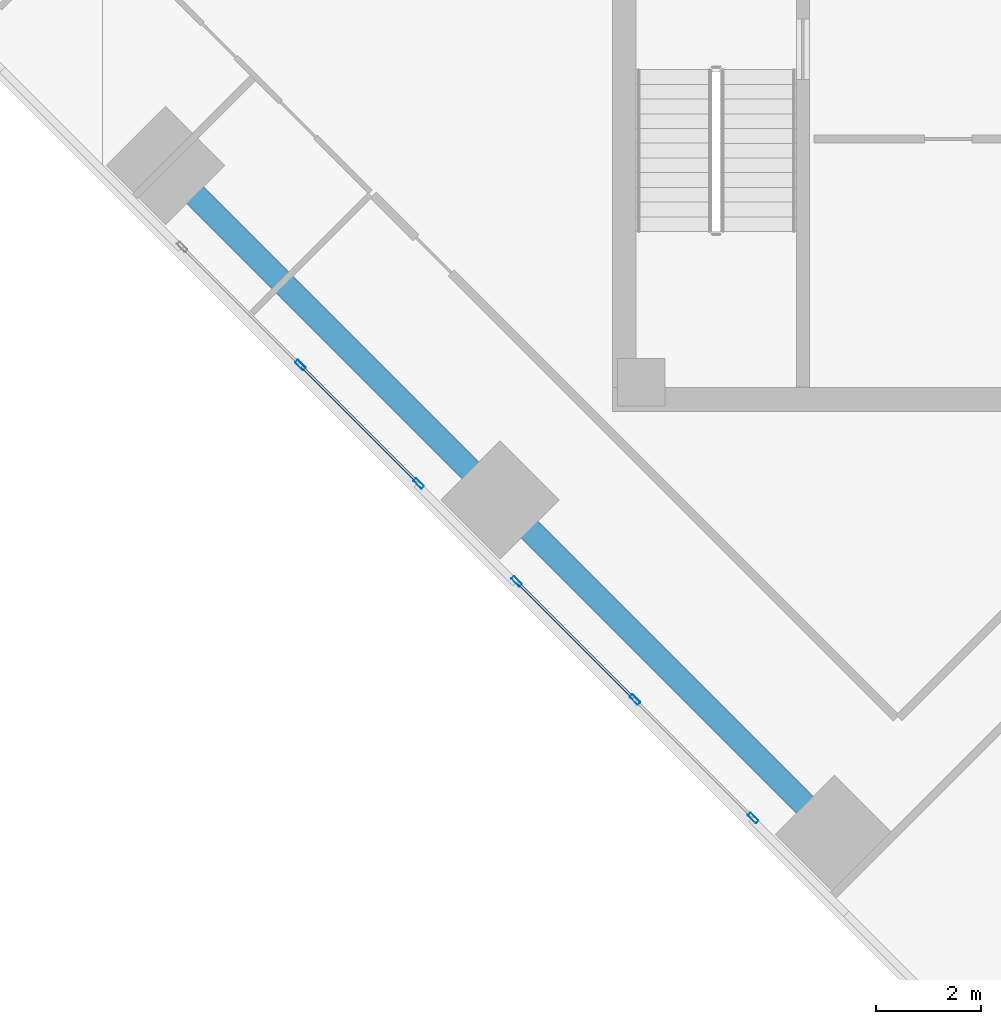
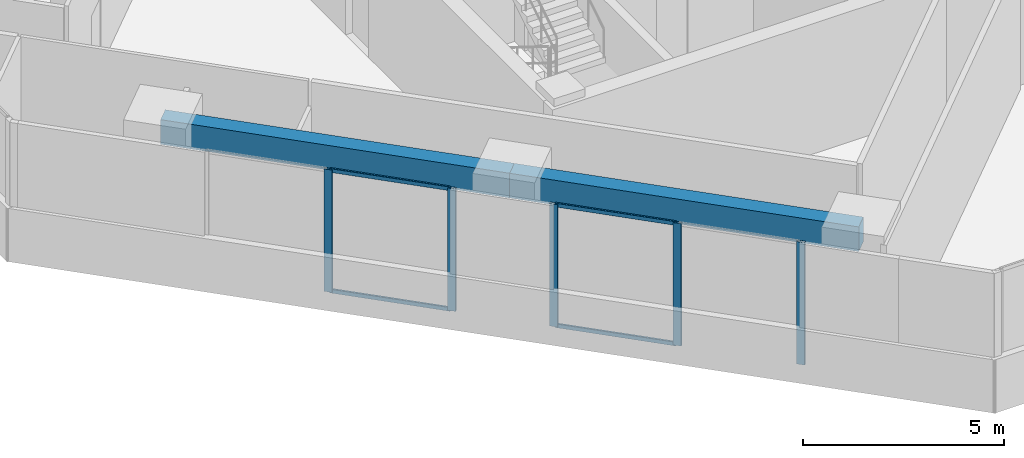
# One storey, part 2 of 17: 9 members, 2 beams, 2 elements without a shape of their own.
"""IFC4 building model written with IfcOpenShell, lengths in metres."""

import ifcopenshell
import ifcopenshell.guid

model = None  # the IFC model being written
_history = None  # IfcOwnerHistory: only IFC2X3 demands one
_inside = {}  # id of a spatial element -> (the spatial element, [elements in it])
_under = {}  # id of a project, library or spatial element -> (it, [spatial elements below it])
_declared = {}  # id of a project -> (the project, [libraries it declares])
_typed = {}  # id of a type object -> (the type object, [elements of that type])
_made_of = {}  # id of a material, layer set ... -> (it, [elements and type objects made of it])


def new_model(schema):
    """Start an empty IFC model of exactly this schema.

    Asked for "IFC4X3", IfcOpenShell would pick the latest addendum, in which some entities
    have other attributes; the version numbers below select the first issue.
    IFC2X3 requires an IfcOwnerHistory on every rooted entity: one is made here for all.
    """
    global model, _history
    if schema == "IFC4X3":
        model = ifcopenshell.file(schema_version=(4, 3, 0, 0))
    else:
        model = ifcopenshell.file(schema=schema)
    _inside.clear()
    _under.clear()
    _declared.clear()
    _typed.clear()
    _made_of.clear()
    _history = None
    if model.schema == "IFC2X3":
        org = make("IfcOrganization", Name="unknown")
        user = make(
            "IfcPersonAndOrganization",
            ThePerson=make("IfcPerson", FamilyName="unknown"),
            TheOrganization=org,
        )
        app = make(
            "IfcApplication",
            ApplicationDeveloper=org,
            Version="unknown",
            ApplicationFullName="unknown",
            ApplicationIdentifier="unknown",
        )
        _history = make(
            "IfcOwnerHistory",
            OwningUser=user,
            OwningApplication=app,
            ChangeAction="ADDED",
            CreationDate=0,
        )
    return model


def make(cls, **values):
    """One entity of the class cls with the attributes given. An attribute that is None is left unset."""
    return model.create_entity(
        cls, **{name: value for name, value in values.items() if value is not None}
    )


def rooted(cls, **values):
    """An entity with a GlobalId (a new one), such as an element, a storey or a relation."""
    return make(cls, GlobalId=ifcopenshell.guid.new(), OwnerHistory=_history, **values)


def si_unit(unit_type, name, prefix=None):
    """IfcSIUnit, for example si_unit("LENGTHUNIT", "METRE", prefix="MILLI")."""
    return make("IfcSIUnit", UnitType=unit_type, Prefix=prefix, Name=name)


def assignment(units):
    """IfcUnitAssignment: the units of a project."""
    return None if units is None else make("IfcUnitAssignment", Units=units)


def point(xyz):
    """IfcCartesianPoint."""
    return None if xyz is None else make("IfcCartesianPoint", Coordinates=xyz)


def direction(xyz):
    """IfcDirection."""
    return None if xyz is None else make("IfcDirection", DirectionRatios=xyz)


def frame(location, z_axis=None, x_axis=None):
    """IfcAxis2Placement3D, a coordinate frame: its origin and axes. An axis left out is left unset."""
    return make(
        "IfcAxis2Placement3D",
        Location=point(location),
        Axis=direction(z_axis),
        RefDirection=direction(x_axis),
    )


def frame_2d(location, x_axis=None):
    """IfcAxis2Placement2D, a coordinate frame in the plane: its origin and x axis."""
    return make(
        "IfcAxis2Placement2D", Location=point(location), RefDirection=direction(x_axis)
    )


def origin():
    """The frame at (0, 0, 0) with its axes left unset."""
    return frame((0.0, 0.0, 0.0))


def origin_2d():
    """The frame at (0, 0) in the plane with its x axis left unset."""
    return frame_2d((0.0, 0.0))


def place(relative_to, where):
    """IfcLocalPlacement: puts the frame where relative to a parent placement (None: the world)."""
    return make(
        "IfcLocalPlacement", PlacementRelTo=relative_to, RelativePlacement=where
    )


def context(
    kind, dimensions, precision=None, world=None, true_north=None, identifier=None
):
    """IfcGeometricRepresentationContext, for example the 3D "Model" context."""
    return make(
        "IfcGeometricRepresentationContext",
        ContextIdentifier=identifier,
        ContextType=kind,
        CoordinateSpaceDimension=dimensions,
        Precision=precision,
        WorldCoordinateSystem=world,
        TrueNorth=true_north,
    )


def subcontext(parent, identifier, kind, view, scale=None):
    """IfcGeometricRepresentationSubContext, for example "Body" below "Model"."""
    return make(
        "IfcGeometricRepresentationSubContext",
        ContextIdentifier=identifier,
        ContextType=kind,
        ParentContext=parent,
        TargetScale=scale,
        TargetView=view,
    )


def project(units=None, contexts=None):
    """IfcProject with its units and contexts."""
    return rooted(
        "IfcProject",
        Name="project",
        RepresentationContexts=contexts,
        UnitsInContext=assignment(units),
    )


def spatial(cls, under=None, at=None, **own):
    """A site, building, storey or space (cls), placed at a placement, below another one or the project."""
    s = rooted(cls, ObjectPlacement=at, **own)
    if under is not None:
        _under.setdefault(under.id(), (under, []))[1].append(s)
    return s


def profile(cls, at=None, kind="AREA", **sizes):
    """A parametric profile (cls). Its sizes go by their IFC names, for example OverallWidth=200.0."""
    return make(cls, ProfileType=kind, Position=at, **sizes)


def rectangle(**sizes):
    """IfcRectangleProfileDef."""
    return profile("IfcRectangleProfileDef", **sizes)


def hollow_rectangle(**sizes):
    """IfcRectangleHollowProfileDef."""
    return profile("IfcRectangleHollowProfileDef", **sizes)


def extrude(swept, where, along, depth):
    """IfcExtrudedAreaSolid: the profile swept, set in the frame where, extruded along a direction by depth."""
    return make(
        "IfcExtrudedAreaSolid",
        SweptArea=swept,
        Position=where,
        ExtrudedDirection=direction(along),
        Depth=depth,
    )


def shape(context_of_items, identifier, shape_type, items):
    """IfcShapeRepresentation: the items that make up one representation, for example the "Body"."""
    return make(
        "IfcShapeRepresentation",
        ContextOfItems=context_of_items,
        RepresentationIdentifier=identifier,
        RepresentationType=shape_type,
        Items=items,
    )


def source(mapping_origin, context_of_items, identifier, shape_type, items):
    """IfcRepresentationMap: a shape defined once, which mapped items show again and again."""
    return make(
        "IfcRepresentationMap",
        MappingOrigin=mapping_origin,
        MappedRepresentation=shape(context_of_items, identifier, shape_type, items),
    )


def transform(
    local_origin,
    x_axis=None,
    y_axis=None,
    z_axis=None,
    scale=None,
    scale2=None,
    scale3=None,
    uniform=True,
):
    """IfcCartesianTransformationOperator3D, or its non-uniform kind. x_axis, y_axis, z_axis: its Axis1, 2, 3."""
    if uniform:
        return make(
            "IfcCartesianTransformationOperator3D",
            Axis1=direction(x_axis),
            Axis2=direction(y_axis),
            LocalOrigin=point(local_origin),
            Scale=scale,
            Axis3=direction(z_axis),
        )
    return make(
        "IfcCartesianTransformationOperator3DnonUniform",
        Axis1=direction(x_axis),
        Axis2=direction(y_axis),
        LocalOrigin=point(local_origin),
        Scale=scale,
        Axis3=direction(z_axis),
        Scale2=scale2,
        Scale3=scale3,
    )


def mapped(mapping_source, mapping_target):
    """IfcMappedItem: shows the shape of a source again, moved by a transform."""
    return make(
        "IfcMappedItem", MappingSource=mapping_source, MappingTarget=mapping_target
    )


def material(Name=None, Category=None):
    """IfcMaterial."""
    return make("IfcMaterial", Name=Name, Category=Category)


def material_profile(
    of_material, cross_section, Name=None, Category=None, Priority=None
):
    """IfcMaterialProfile: a cross section and its material."""
    return make(
        "IfcMaterialProfile",
        Name=Name,
        Material=of_material,
        Profile=cross_section,
        Priority=Priority,
        Category=Category,
    )


def profile_set(profiles, Name=None, composite=None):
    """IfcMaterialProfileSet."""
    return make(
        "IfcMaterialProfileSet",
        Name=Name,
        MaterialProfiles=profiles,
        CompositeProfile=composite,
    )


def made_of(thing, what):
    """Note that an element or type object is made of a material, layer set ...; save() writes the relation."""
    if what is not None:
        _made_of.setdefault(what.id(), (what, []))[1].append(thing)
    return thing


def type_object(cls, material=None, **own):
    """A type object (cls), such as IfcWallType, which elements share."""
    return made_of(rooted(cls, **own), material)


def element(
    cls,
    number,
    at=None,
    inside=None,
    cuts=None,
    type_object=None,
    material=None,
    context=None,
    identifier="Body",
    shape_type=None,
    held_by="IfcProductDefinitionShape",
    body=None,
    shapes=None,
    **own,
):
    """One element of the class cls, such as IfcWall. Its Tag is "e" and its number.

    at: its placement. inside: the storey or other place that contains it. cuts: it is an
    opening in that element (IfcRelVoidsElement). A single representation is given by context,
    identifier, shape_type and body (its items); several are given by shapes. held_by: the class
    of the entity that holds the representations. save() writes the other relations.
    """
    e = rooted(cls, Tag="e%d" % number, ObjectPlacement=at, **own)
    if body is not None:
        shapes = [shape(context, identifier, shape_type, body)]
    if shapes is not None:
        e.Representation = make(held_by, Representations=shapes)
    if inside is not None:
        _inside.setdefault(inside.id(), (inside, []))[1].append(e)
    if cuts is not None:
        rooted(
            "IfcRelVoidsElement", RelatingBuildingElement=cuts, RelatedOpeningElement=e
        )
    if type_object is not None:
        _typed.setdefault(type_object.id(), (type_object, []))[1].append(e)
    return made_of(e, material)


def aggregate(whole, parts):
    """IfcRelAggregates: a whole, such as a stair, and the parts it consists of."""
    return rooted("IfcRelAggregates", RelatingObject=whole, RelatedObjects=parts)


def save(model, path):
    """Write the relations noted so far, then the file.

    IfcRelAggregates (storeys below a building ...), IfcRelContainedInSpatialStructure (elements
    in a storey), IfcRelDefinesByType, IfcRelAssociatesMaterial and IfcRelDeclares: one each for
    every whole, place, type object, material and project.
    """
    for whole, parts in _under.values():
        aggregate(whole, parts)
    for where, things in _inside.values():
        rooted(
            "IfcRelContainedInSpatialStructure",
            RelatedElements=things,
            RelatingStructure=where,
        )
    for kind, things in _typed.values():
        rooted("IfcRelDefinesByType", RelatedObjects=things, RelatingType=kind)
    for what, things in _made_of.values():
        rooted("IfcRelAssociatesMaterial", RelatedObjects=things, RelatingMaterial=what)
    for by, libraries in _declared.values():
        rooted("IfcRelDeclares", RelatingContext=by, RelatedDefinitions=libraries)
    model.write(path)


model = new_model("IFC4")

# Units and contexts
model_context = context("Model", 3, precision=1e-05, world=origin(), true_north=direction((0.0, 1.0)))
body_context = subcontext(model_context, "Body", "Model", "MODEL_VIEW")
ifc_project = project(units=[si_unit("LENGTHUNIT", "METRE"), si_unit("AREAUNIT", "SQUARE_METRE"), si_unit("VOLUMEUNIT", "CUBIC_METRE"), si_unit("PLANEANGLEUNIT", "RADIAN"), si_unit("MASSUNIT", "GRAM", prefix="KILO")], contexts=[model_context])

# Site, building, storey
site_placement = place(None, origin())
site = spatial("IfcSite", under=ifc_project, at=site_placement, CompositionType="ELEMENT")
building_placement = place(site_placement, origin())
building = spatial("IfcBuilding", under=site, at=building_placement, Name="Torre Montelarca", CompositionType="ELEMENT")
storey_placement = place(building_placement, frame((0.0, 0.0, 241.60009765625)))
storey = spatial("IfcBuildingStorey", under=building, at=storey_placement, Name="L54", CompositionType="ELEMENT", Elevation=241.60009765625)

# Beams
ifc_material_1 = material(Name="Concrete C55/67", Category="concrete")
ifc_material_profile_1 = material_profile(ifc_material_1, rectangle(XDim=0.449951171875, YDim=0.75, at=origin_2d()), Name="RCB450X750", Category="concrete")
ifc_profile_set_1 = profile_set([ifc_material_profile_1], Name="Concrete C55/67")
beam_type = type_object("IfcBeamType", Name="BM-SP-RC750-EXT", PredefinedType="SPANDREL", material=ifc_profile_set_1)
shared_shape_1 = source(origin(), body_context, "Body", "SweptSolid", [
    extrude(rectangle(XDim=0.449951171875, YDim=0.75, at=origin_2d()), origin(), (0.0, 0.0, 1.0), 9.0),
])
for number, where, z_axis, x_axis, name in (
    (1, (0.498779296875, 28.676513671875, 3.5849609375), (0.707106781187, -0.707106781187, 0.0), (0.707106781187, 0.707106781187, 0.0), "L54 Grid Girder X 9.0-18.0 at Y=14.8"),
    (2, (6.86279296875, 22.3125, 3.5849609375), (0.707120344572, -0.70709321754, 0.0), (0.70709321754, 0.707120344572, 0.0), "L54 Grid Girder X 18.0-27.0 at Y=14.8"),
):
    element("IfcBeam", number, at=place(storey_placement, frame(where, z_axis=z_axis, x_axis=x_axis)), inside=storey, type_object=beam_type, Name=name, PredefinedType="SPANDREL", context=body_context, shape_type="MappedRepresentation", body=[
        mapped(shared_shape_1, transform((0.0, 0.0, 0.0), scale=1.0)),
    ])

# Curtain wall, members
ifc_material_2 = material(Name="Insulated low-E laminated glass", Category="glass")
curtain_wall_type = type_object("IfcCurtainWallType", Name="CW-SYS-Z3", PredefinedType="USERDEFINED", material=ifc_material_2)
curtain_wall_1_placement = place(storey_placement, origin())
curtain_wall_1 = element("IfcCurtainWall", 3, at=curtain_wall_1_placement, inside=storey, type_object=curtain_wall_type, Name="L54 Curtain Wall Run CW-T3-L54-E01-B1", ObjectType="UNITISED GLAZING", PredefinedType="USERDEFINED")
ifc_material_3 = material(Name="Anodised aluminium AA 6063-T6", Category="aluminium")
ifc_material_profile_2 = material_profile(ifc_material_3, hollow_rectangle(XDim=0.074951171875, YDim=0.219970703125, WallThickness=0.0048828125, InnerFilletRadius=0.0048828125, OuterFilletRadius=0.010009765625, at=origin_2d()), Name="ALU75X220X5", Category="aluminium")
ifc_profile_set_2 = profile_set([ifc_material_profile_2], Name="Anodised aluminium AA 6063-T6")
member_type_1 = type_object("IfcMemberType", Name="CWM-ALU220", PredefinedType="MULLION", material=ifc_profile_set_2)
shared_shape_2 = source(origin(), body_context, "Body", "SweptSolid", [
    extrude(hollow_rectangle(XDim=0.074951171875, YDim=0.219970703125, WallThickness=0.0048828125, InnerFilletRadius=0.0048828125, OuterFilletRadius=0.010009765625, at=origin_2d()), origin(), (0.0, 0.0, 1.0), 3.719970703125),
])
member_1_placement = place(storey_placement, frame((3.065673828125, 24.87939453125, 0.0), z_axis=(0.0, 0.0, 1.0), x_axis=(0.707106781187, 0.707106781187, 0.0)))
member_1 = element("IfcMember", 4, at=member_1_placement, type_object=member_type_1, Name="CW mullion 2", PredefinedType="MULLION", context=body_context, shape_type="MappedRepresentation", body=[
    mapped(shared_shape_2, transform((0.0, 0.0, 0.0), scale=1.0)),
])
member_2_placement = place(storey_placement, frame((5.316162109375, 22.62890625, 0.0), z_axis=(0.0, 0.0, 1.0), x_axis=(0.707106781187, 0.707106781187, 0.0)))
member_2 = element("IfcMember", 5, at=member_2_placement, type_object=member_type_1, Name="CW mullion 3", PredefinedType="MULLION", context=body_context, shape_type="MappedRepresentation", body=[
    mapped(shared_shape_2, transform((0.0, 0.0, 0.0), scale=1.0)),
])

curtain_wall_2_placement = place(storey_placement, origin())
curtain_wall_2 = element("IfcCurtainWall", 6, at=curtain_wall_2_placement, inside=storey, type_object=curtain_wall_type, Name="L54 Curtain Wall Run CW-T3-L54-E01-B2", ObjectType="UNITISED GLAZING", PredefinedType="USERDEFINED")
member_3_placement = place(storey_placement, frame((7.17919921875, 20.765869140625, 0.0), z_axis=(0.0, 0.0, 1.0), x_axis=(0.707106781187, 0.707106781187, 0.0)))
member_3 = element("IfcMember", 7, at=member_3_placement, type_object=member_type_1, Name="CW mullion 1", PredefinedType="MULLION", context=body_context, shape_type="MappedRepresentation", body=[
    mapped(shared_shape_2, transform((0.0, 0.0, 0.0), scale=1.0)),
])
member_4_placement = place(storey_placement, frame((9.4296875, 18.515380859375, 0.0), z_axis=(0.0, 0.0, 1.0), x_axis=(0.707106781187, 0.707106781187, 0.0)))
member_4 = element("IfcMember", 8, at=member_4_placement, type_object=member_type_1, Name="CW mullion 2", PredefinedType="MULLION", context=body_context, shape_type="MappedRepresentation", body=[
    mapped(shared_shape_2, transform((0.0, 0.0, 0.0), scale=1.0)),
])
member_5_placement = place(storey_placement, frame((11.68017578125, 16.26513671875, 0.0), z_axis=(0.0, 0.0, 1.0), x_axis=(0.707106781187, 0.707106781187, 0.0)))
member_5 = element("IfcMember", 9, at=member_5_placement, type_object=member_type_1, Name="CW mullion 3", PredefinedType="MULLION", context=body_context, shape_type="MappedRepresentation", body=[
    mapped(shared_shape_2, transform((0.0, 0.0, 0.0), scale=1.0)),
])

# Member
ifc_material_profile_3 = material_profile(ifc_material_3, hollow_rectangle(XDim=0.054931640625, YDim=0.1201171875, WallThickness=0.00341796875, InnerFilletRadius=0.00341796875, OuterFilletRadius=0.007080078125, at=origin_2d()), Name="ALU55X120X3.5", Category="aluminium")
ifc_profile_set_3 = profile_set([ifc_material_profile_3], Name="Anodised aluminium AA 6063-T6")
member_type_2 = type_object("IfcMemberType", Name="CWT-ALU120", PredefinedType="USERDEFINED", material=ifc_profile_set_3)
shared_shape_3 = source(origin(), body_context, "Body", "SweptSolid", [
    extrude(hollow_rectangle(XDim=0.054931640625, YDim=0.1201171875, WallThickness=0.00341796875, InnerFilletRadius=0.00341796875, OuterFilletRadius=0.007080078125, at=origin_2d()), origin(), (0.0, 0.0, 1.0), 3.107421875),
])
member_6_placement = place(storey_placement, frame((3.09228515625, 24.852783203125, 0.02734375), z_axis=(0.707106781187, -0.707106781187, 0.0), x_axis=(0.707106781187, 0.707106781187, 0.0)))
member_6 = element("IfcMember", 10, at=member_6_placement, type_object=member_type_2, Name="CW transom 2.1", ObjectType="TRANSOM", PredefinedType="USERDEFINED", context=body_context, shape_type="MappedRepresentation", body=[
    mapped(shared_shape_3, transform((0.0, 0.0, 0.0), scale=1.0)),
])

member_7_placement = place(storey_placement, frame((3.09228515625, 24.852783203125, 3.6923828125), z_axis=(0.707106781187, -0.707106781187, 0.0), x_axis=(0.707106781187, 0.707106781187, 0.0)))
member_7 = element("IfcMember", 11, at=member_7_placement, type_object=member_type_2, Name="CW transom 2.2", ObjectType="TRANSOM", PredefinedType="USERDEFINED", context=body_context, shape_type="MappedRepresentation", body=[
    mapped(shared_shape_3, transform((0.0, 0.0, 0.0), scale=1.0)),
])

aggregate(curtain_wall_1, [member_1, member_2, member_6, member_7])

member_8_placement = place(storey_placement, frame((7.205810546875, 20.7392578125, 0.02734375), z_axis=(0.707106781187, -0.707106781187, 0.0), x_axis=(0.707106781187, 0.707106781187, 0.0)))
member_8 = element("IfcMember", 12, at=member_8_placement, type_object=member_type_2, Name="CW transom 1.1", ObjectType="TRANSOM", PredefinedType="USERDEFINED", context=body_context, shape_type="MappedRepresentation", body=[
    mapped(shared_shape_3, transform((0.0, 0.0, 0.0), scale=1.0)),
])

member_9_placement = place(storey_placement, frame((7.205810546875, 20.7392578125, 3.6923828125), z_axis=(0.707106781187, -0.707106781187, 0.0), x_axis=(0.707106781187, 0.707106781187, 0.0)))
member_9 = element("IfcMember", 13, at=member_9_placement, type_object=member_type_2, Name="CW transom 1.2", ObjectType="TRANSOM", PredefinedType="USERDEFINED", context=body_context, shape_type="MappedRepresentation", body=[
    mapped(shared_shape_3, transform((0.0, 0.0, 0.0), scale=1.0)),
])

aggregate(curtain_wall_2, [member_3, member_4, member_5, member_8, member_9])

save(model, "model.ifc")
